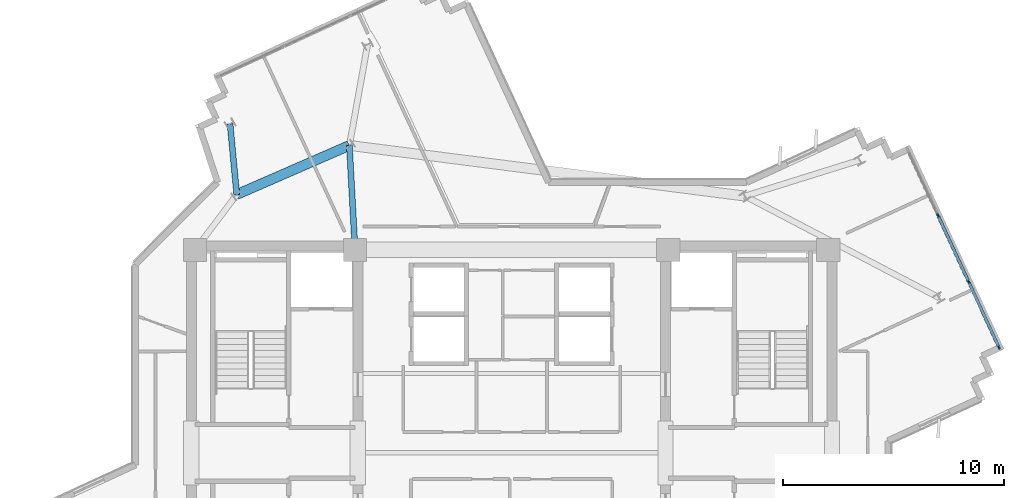
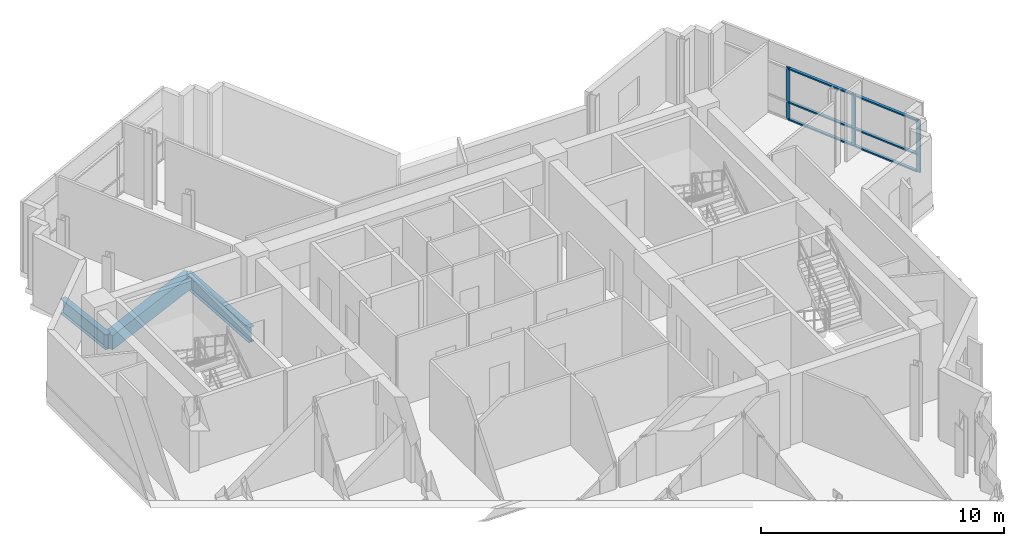
# One storey, part 2 of 12: 9 members, 3 beams, 1 element without a shape of its own.
"""IFC4 building model written with IfcOpenShell, lengths in metres."""

from ifc_helpers import new_model, si_unit, direction, frame, origin, origin_2d, place, context, subcontext, project, spatial, rectangle, i_section, extrude, source, transform, mapped, material, layer, layer_set, material_profile, profile_set, type_object, element, aggregate, save


model = new_model("IFC4")

# Units and contexts
model_context = context("Model", 3, precision=1e-05, world=origin(), true_north=direction((0.0, 1.0)))
body_context = subcontext(model_context, "Body", "Model", "MODEL_VIEW")
ifc_project = project(units=[si_unit("LENGTHUNIT", "METRE"), si_unit("AREAUNIT", "SQUARE_METRE"), si_unit("VOLUMEUNIT", "CUBIC_METRE"), si_unit("PLANEANGLEUNIT", "RADIAN"), si_unit("MASSUNIT", "GRAM", prefix="KILO")], contexts=[model_context])

# Site, building, storey
site_placement = place(None, origin())
site = spatial("IfcSite", under=ifc_project, at=site_placement, CompositionType="ELEMENT")
building_placement = place(site_placement, origin())
building = spatial("IfcBuilding", under=site, at=building_placement, Name="Zahravan Cultural Tower", CompositionType="ELEMENT")
storey_placement = place(building_placement, frame((0.0, 0.0, 246.60009765625)))
storey = spatial("IfcBuildingStorey", under=building, at=storey_placement, Name="L58", CompositionType="ELEMENT", Elevation=246.60009765625)

# Beams
ifc_material_1 = material(Name="Steel ASTM A992 Grade 50", Category="steel")
ifc_material_profile_1 = material_profile(ifc_material_1, i_section(OverallWidth=0.26708984375, OverallDepth=0.761962890625, WebThickness=0.014404296875, FlangeThickness=0.021484375, FilletRadius=0.01904296875, at=origin_2d()), Name="W30X116")
ifc_profile_set_1 = profile_set([ifc_material_profile_1], Name="Steel ASTM A992 Grade 50")
beam_type_1 = type_object("IfcBeamType", Name="BM-G-W30X116", PredefinedType="BEAM", material=ifc_profile_set_1)
shared_shape_1 = source(origin(), body_context, "Body", "SweptSolid", [
    extrude(i_section(OverallWidth=0.26708984375, OverallDepth=0.761962890625, WebThickness=0.014404296875, FlangeThickness=0.021484375, FilletRadius=0.01904296875, at=origin_2d()), origin(), (0.0, 0.0, 1.0), 4.744384765625),
])
beam_1_placement = place(storey_placement, frame((28.89990234375, 36.199951171875, -0.631103515625), z_axis=(-0.054238739845, 0.998527996152, 0.0), x_axis=(-0.998527996152, -0.054238739845, 0.0)))
element("IfcBeam", 1, at=beam_1_placement, inside=storey, type_object=beam_type_1, Name="L58 Beam BG-L58-10", PredefinedType="BEAM", context=body_context, shape_type="MappedRepresentation", body=[
    mapped(shared_shape_1, transform((0.0, 0.0, 0.0), x_axis=(1.0, 0.0, 0.0), y_axis=(0.0, 1.0, 0.0), z_axis=(0.0, 0.0, 1.0), scale=1.0)),
])
shared_shape_2 = source(origin(), body_context, "Body", "SweptSolid", [
    extrude(i_section(OverallWidth=0.26708984375, OverallDepth=0.761962890625, WebThickness=0.014404296875, FlangeThickness=0.021484375, FilletRadius=0.01904296875, at=origin_2d()), origin(), (0.0, 0.0, 1.0), 3.218017578125),
])
beam_2_placement = place(storey_placement, frame((23.536376953125, 38.710693359375, -0.631103515625), z_axis=(-0.094454641962, 0.995529166128, 0.0), x_axis=(-0.995529166128, -0.094454641962, 0.0)))
element("IfcBeam", 2, at=beam_2_placement, inside=storey, type_object=beam_type_1, Name="L58 Beam BG-L58-15", PredefinedType="BEAM", context=body_context, shape_type="MappedRepresentation", body=[
    mapped(shared_shape_2, transform((0.0, 0.0, 0.0), x_axis=(1.0, 0.0, 0.0), y_axis=(0.0, 1.0, 0.0), z_axis=(0.0, 0.0, 1.0), scale=1.0)),
])
ifc_material_2 = material(Name="Concrete C45/55", Category="concrete")
ifc_material_profile_2 = material_profile(ifc_material_2, rectangle(XDim=0.449951171875, YDim=0.719970703125, at=origin_2d()), Name="RC450X720")
ifc_profile_set_2 = profile_set([ifc_material_profile_2], Name="Concrete C45/55")
beam_type_2 = type_object("IfcBeamType", Name="BM-SP-RC450X720", PredefinedType="SPANDREL", material=ifc_profile_set_2)
shared_shape_3 = source(origin(), body_context, "Body", "SweptSolid", [
    extrude(rectangle(XDim=0.449951171875, YDim=0.719970703125, at=origin_2d()), origin(), (0.0, 0.0, 1.0), 5.570556640625),
])
beam_3_placement = place(storey_placement, frame((28.642578125, 40.937255859375, -0.610107421875), z_axis=(-0.9166445026, -0.399703459896, 0.0), x_axis=(0.399703459896, -0.9166445026, 0.0)))
element("IfcBeam", 3, at=beam_3_placement, inside=storey, type_object=beam_type_2, Name="L58 Beam SP-L58-23", PredefinedType="SPANDREL", context=body_context, shape_type="MappedRepresentation", body=[
    mapped(shared_shape_3, transform((0.0, 0.0, 0.0), x_axis=(1.0, 0.0, 0.0), y_axis=(0.0, 1.0, 0.0), z_axis=(0.0, 0.0, 1.0), scale=1.0)),
])

# Curtain wall, members
ifc_material_3 = material(Name="Anodised bronze-aluminium mullion", Category="aluminium")
ifc_layer = layer(ifc_material_3, 0.179931640625)
ifc_layer_set = layer_set([ifc_layer], Name="Anodised bronze-aluminium mullion")
curtain_wall_type = type_object("IfcCurtainWallType", Name="CW-SYS-3", PredefinedType="USERDEFINED", material=ifc_layer_set)
curtain_wall_placement = place(storey_placement, origin())
curtain_wall = element("IfcCurtainWall", 4, at=curtain_wall_placement, inside=storey, type_object=curtain_wall_type, Name="L58 Recessed Curtain Wall CW-3.1", ObjectType="RECESSED GLAZING", PredefinedType="USERDEFINED")
ifc_material_profile_3 = material_profile(ifc_material_3, rectangle(XDim=0.139892578125, YDim=0.070068359375, at=origin_2d()), Name="AL-T70X140")
ifc_profile_set_3 = profile_set([ifc_material_profile_3], Name="Anodised bronze-aluminium mullion")
member_type_1 = type_object("IfcMemberType", Name="CWT-CW-3", PredefinedType="USERDEFINED", material=ifc_profile_set_3)
shared_shape_4 = source(origin(), body_context, "Body", "SweptSolid", [
    extrude(rectangle(XDim=0.139892578125, YDim=0.070068359375, at=origin_2d()), origin(), (0.0, 0.0, 1.0), 3.236572265625),
])
member_1_placement = place(storey_placement, frame((55.3466796875, 37.72216796875, 0.034912109375), z_axis=(0.419483868857, -0.907762790474, 0.0), x_axis=(0.907762790474, 0.419483868857, 0.0)))
member_1 = element("IfcMember", 5, at=member_1_placement, type_object=member_type_1, Name="CW-3 transom 2.1", ObjectType="TRANSOM", PredefinedType="USERDEFINED", context=body_context, shape_type="MappedRepresentation", body=[
    mapped(shared_shape_4, transform((0.0, 0.0, 0.0), x_axis=(1.0, 0.0, 0.0), y_axis=(0.0, 1.0, 0.0), z_axis=(0.0, 0.0, 1.0), scale=1.0)),
])
member_2_placement = place(storey_placement, frame((55.3466796875, 37.72216796875, 0.89990234375), z_axis=(0.419483868857, -0.907762790474, 0.0), x_axis=(0.907762790474, 0.419483868857, 0.0)))
member_2 = element("IfcMember", 6, at=member_2_placement, type_object=member_type_1, Name="CW-3 transom 2.2", ObjectType="TRANSOM", PredefinedType="USERDEFINED", context=body_context, shape_type="MappedRepresentation", body=[
    mapped(shared_shape_4, transform((0.0, 0.0, 0.0), x_axis=(1.0, 0.0, 0.0), y_axis=(0.0, 1.0, 0.0), z_axis=(0.0, 0.0, 1.0), scale=1.0)),
])
member_3_placement = place(storey_placement, frame((55.3466796875, 37.72216796875, 2.5849609375), z_axis=(0.419483868857, -0.907762790474, 0.0), x_axis=(0.907762790474, 0.419483868857, 0.0)))
member_3 = element("IfcMember", 7, at=member_3_placement, type_object=member_type_1, Name="CW-3 transom 2.3", ObjectType="TRANSOM", PredefinedType="USERDEFINED", context=body_context, shape_type="MappedRepresentation", body=[
    mapped(shared_shape_4, transform((0.0, 0.0, 0.0), x_axis=(1.0, 0.0, 0.0), y_axis=(0.0, 1.0, 0.0), z_axis=(0.0, 0.0, 1.0), scale=1.0)),
])
shared_shape_5 = source(origin(), body_context, "Body", "SweptSolid", [
    extrude(rectangle(XDim=0.139892578125, YDim=0.070068359375, at=origin_2d()), origin(), (0.0, 0.0, 1.0), 3.201416015625),
])
member_4_placement = place(storey_placement, frame((56.73388671875, 34.720458984375, 0.034912109375), z_axis=(0.41942567534, -0.907789679863, 0.0), x_axis=(0.907789679863, 0.41942567534, 0.0)))
member_4 = element("IfcMember", 8, at=member_4_placement, type_object=member_type_1, Name="CW-3 transom 3.1", ObjectType="TRANSOM", PredefinedType="USERDEFINED", context=body_context, shape_type="MappedRepresentation", body=[
    mapped(shared_shape_5, transform((0.0, 0.0, 0.0), x_axis=(1.0, 0.0, 0.0), y_axis=(0.0, 1.0, 0.0), z_axis=(0.0, 0.0, 1.0), scale=1.0)),
])
member_5_placement = place(storey_placement, frame((56.73388671875, 34.720458984375, 0.89990234375), z_axis=(0.41942567534, -0.907789679863, 0.0), x_axis=(0.907789679863, 0.41942567534, 0.0)))
member_5 = element("IfcMember", 9, at=member_5_placement, type_object=member_type_1, Name="CW-3 transom 3.2", ObjectType="TRANSOM", PredefinedType="USERDEFINED", context=body_context, shape_type="MappedRepresentation", body=[
    mapped(shared_shape_5, transform((0.0, 0.0, 0.0), x_axis=(1.0, 0.0, 0.0), y_axis=(0.0, 1.0, 0.0), z_axis=(0.0, 0.0, 1.0), scale=1.0)),
])
member_6_placement = place(storey_placement, frame((56.73388671875, 34.720458984375, 2.5849609375), z_axis=(0.41942567534, -0.907789679863, 0.0), x_axis=(0.907789679863, 0.41942567534, 0.0)))
member_6 = element("IfcMember", 10, at=member_6_placement, type_object=member_type_1, Name="CW-3 transom 3.3", ObjectType="TRANSOM", PredefinedType="USERDEFINED", context=body_context, shape_type="MappedRepresentation", body=[
    mapped(shared_shape_5, transform((0.0, 0.0, 0.0), x_axis=(1.0, 0.0, 0.0), y_axis=(0.0, 1.0, 0.0), z_axis=(0.0, 0.0, 1.0), scale=1.0)),
])
ifc_material_profile_4 = material_profile(ifc_material_3, rectangle(XDim=0.070068359375, YDim=0.179931640625, at=origin_2d()), Name="AL-M70X180")
ifc_profile_set_4 = profile_set([ifc_material_profile_4], Name="Anodised bronze-aluminium mullion")
member_type_2 = type_object("IfcMemberType", Name="CWM-CW-3", PredefinedType="MULLION", material=ifc_profile_set_4)
shared_shape_6 = source(origin(), body_context, "Body", "SweptSolid", [
    extrude(rectangle(XDim=0.070068359375, YDim=0.179931640625, at=origin_2d()), origin(), (0.0, 0.0, 1.0), 2.619873046875),
])
member_7_placement = place(storey_placement, frame((55.33203125, 37.75390625, 0.0), z_axis=(0.0, 0.0, 1.0), x_axis=(0.907775189262, 0.419457036846, 0.0)))
member_7 = element("IfcMember", 11, at=member_7_placement, type_object=member_type_2, Name="CW-3 mullion 2", PredefinedType="MULLION", context=body_context, shape_type="MappedRepresentation", body=[
    mapped(shared_shape_6, transform((0.0, 0.0, 0.0), x_axis=(1.0, 0.0, 0.0), y_axis=(0.0, 1.0, 0.0), z_axis=(0.0, 0.0, 1.0), scale=1.0)),
])
member_8_placement = place(storey_placement, frame((56.718994140625, 34.752197265625, 0.0), z_axis=(0.0, 0.0, 1.0), x_axis=(0.907775189262, 0.419457036846, 0.0)))
member_8 = element("IfcMember", 12, at=member_8_placement, type_object=member_type_2, Name="CW-3 mullion 3", PredefinedType="MULLION", context=body_context, shape_type="MappedRepresentation", body=[
    mapped(shared_shape_6, transform((0.0, 0.0, 0.0), x_axis=(1.0, 0.0, 0.0), y_axis=(0.0, 1.0, 0.0), z_axis=(0.0, 0.0, 1.0), scale=1.0)),
])
member_9_placement = place(storey_placement, frame((58.09130859375, 31.782470703125, 0.0), z_axis=(0.0, 0.0, 1.0), x_axis=(0.907775189262, 0.419457036846, 0.0)))
member_9 = element("IfcMember", 13, at=member_9_placement, type_object=member_type_2, Name="CW-3 mullion 4", PredefinedType="MULLION", context=body_context, shape_type="MappedRepresentation", body=[
    mapped(shared_shape_6, transform((0.0, 0.0, 0.0), x_axis=(1.0, 0.0, 0.0), y_axis=(0.0, 1.0, 0.0), z_axis=(0.0, 0.0, 1.0), scale=1.0)),
])
aggregate(curtain_wall, [member_7, member_8, member_9, member_1, member_2, member_3, member_4, member_5, member_6])

save(model, "model.ifc")
